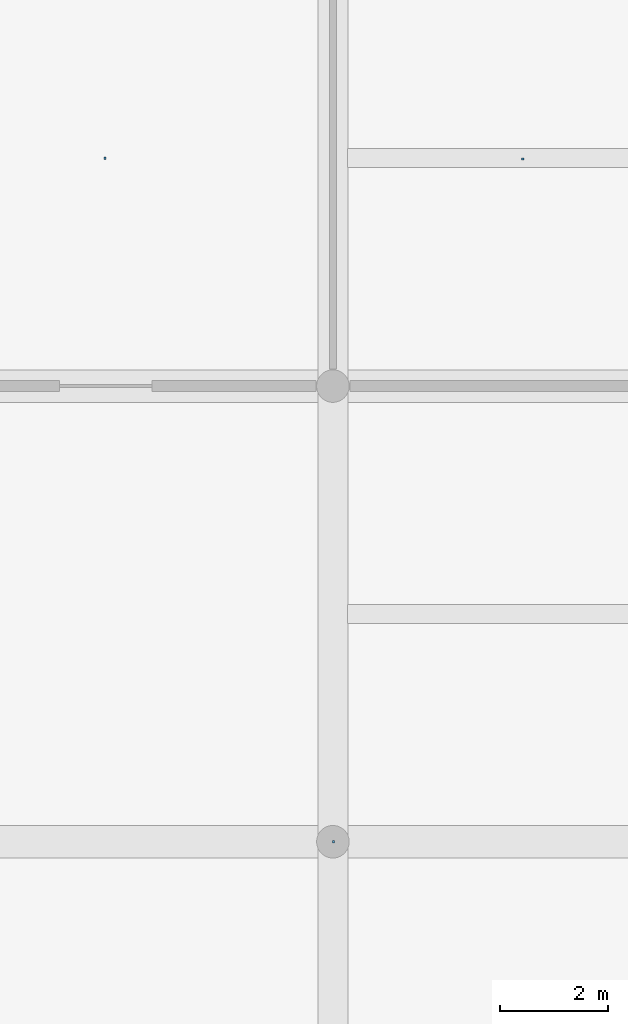
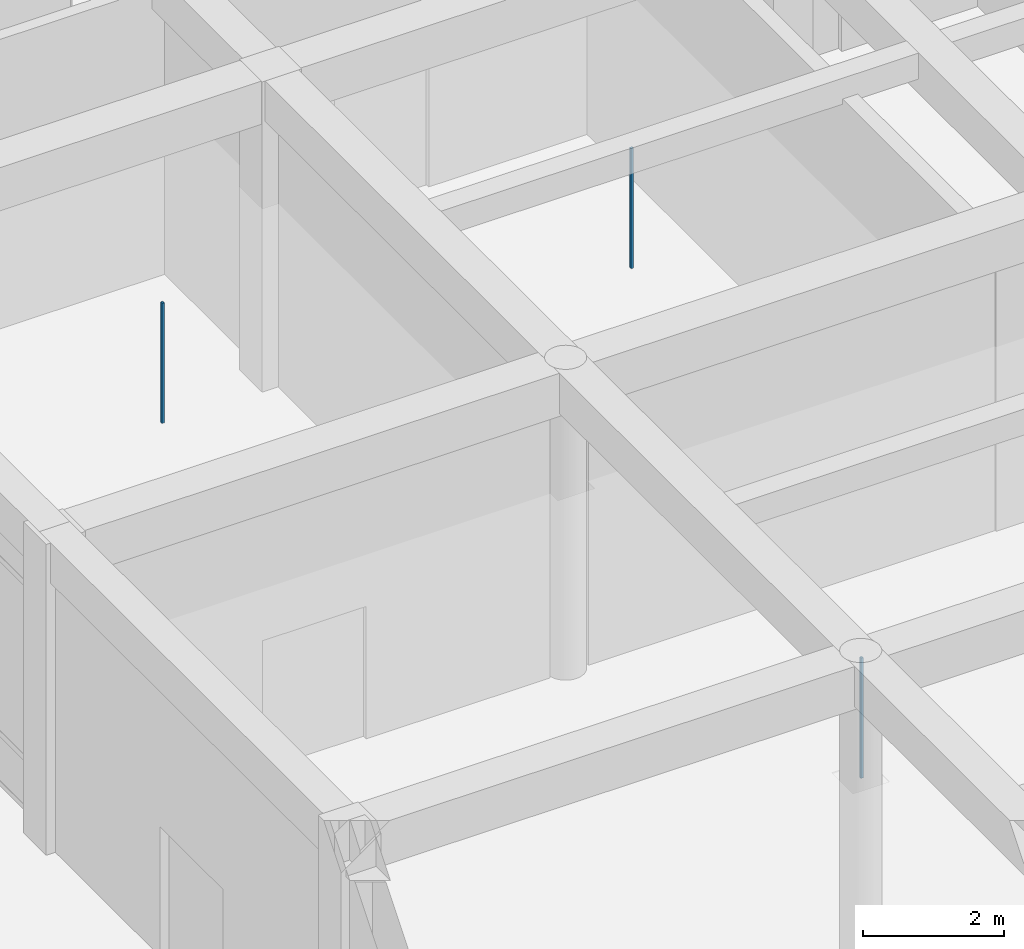
# One storey, part 108 of 167: 3 discrete accessories.
"""IFC4 building model written with IfcOpenShell, lengths in metres."""

from ifc_helpers import new_model, si_unit, direction, frame, origin, origin_2d, place, context, subcontext, project, spatial, rectangle, extrude, material, type_object, element, save


model = new_model("IFC4")

# Units and contexts
model_context = context("Model", 3, precision=1e-05, world=origin(), true_north=direction((0.0, 1.0)))
body_context = subcontext(model_context, "Body", "Model", "MODEL_VIEW")
ifc_project = project(units=[si_unit("LENGTHUNIT", "METRE"), si_unit("AREAUNIT", "SQUARE_METRE"), si_unit("VOLUMEUNIT", "CUBIC_METRE"), si_unit("PLANEANGLEUNIT", "RADIAN"), si_unit("MASSUNIT", "GRAM", prefix="KILO")], contexts=[model_context])

# Site, building, storey
site_placement = place(None, origin())
site = spatial("IfcSite", under=ifc_project, at=site_placement, CompositionType="ELEMENT")
building_placement = place(site_placement, origin())
building = spatial("IfcBuilding", under=site, at=building_placement, Name="Varncliffe General Hospital", CompositionType="ELEMENT")
storey_placement = place(building_placement, origin())
storey = spatial("IfcBuildingStorey", under=building, at=storey_placement, Name="L00", CompositionType="ELEMENT", Elevation=0.0)

# Discrete accessories
ifc_material = material(Name="Powder-coated hospital steel guardrail and handrail", Category="steel")
discrete_accessory_type = type_object("IfcDiscreteAccessoryType", Name="Suspended Ceiling Hanger Bracket CH01", PredefinedType="BRACKET", material=ifc_material)
for number, where, z_axis, x_axis, name in (
    (1, (67.21240234375, 66.0, 3.18994140625), (0.0, 0.0, 1.0), (1.0, 0.0, 0.0), "L00 Suspended Ceiling Hanger 19"),
    (2, (63.0, 78.60009765625, 3.18994140625), (0.0, 0.0, 1.0), (1.0, 0.0, 0.0), "L00 Suspended Ceiling Hanger 43"),
    (3, (70.699951171875, 78.58740234375, 3.18994140625), (0.0, 0.0, 1.0), (1.0, 0.0, 0.0), "L00 Suspended Ceiling Hanger 44"),
):
    element("IfcDiscreteAccessory", number, at=place(storey_placement, frame(where, z_axis=z_axis, x_axis=x_axis)), inside=storey, type_object=discrete_accessory_type, Name=name, PredefinedType="BRACKET", context=body_context, shape_type="SweptSolid", body=[
        extrude(rectangle(XDim=0.0400390625, YDim=0.0400390625, at=origin_2d()), origin(), (0.0, 0.0, 1.0), 2.090087890625),
    ])

save(model, "model.ifc")
